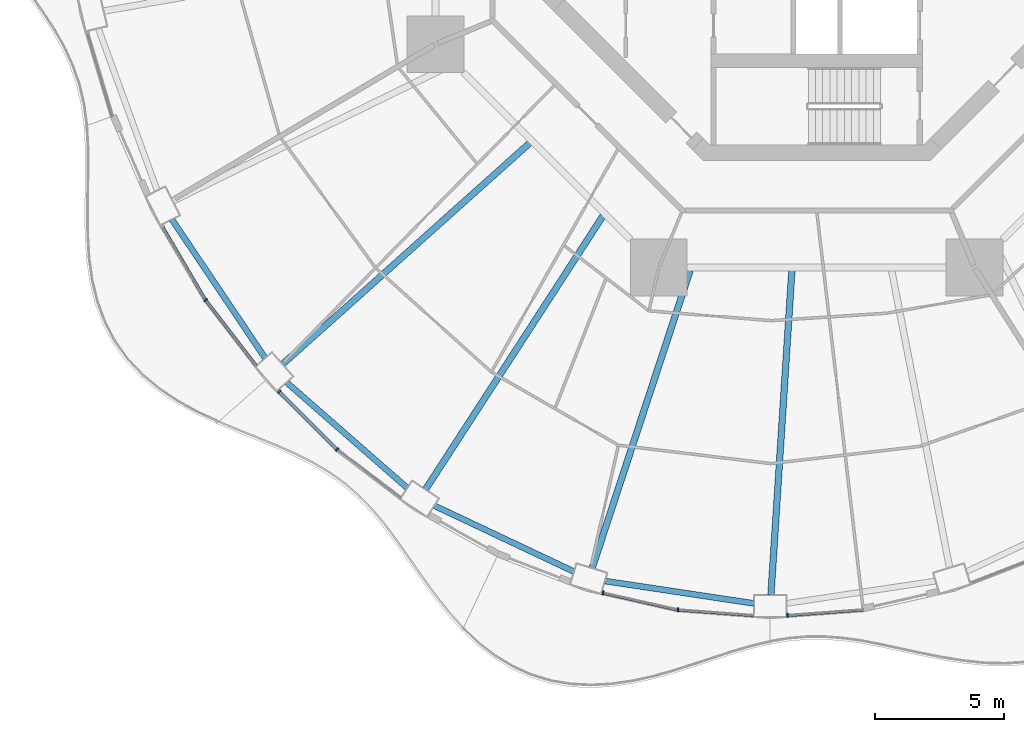
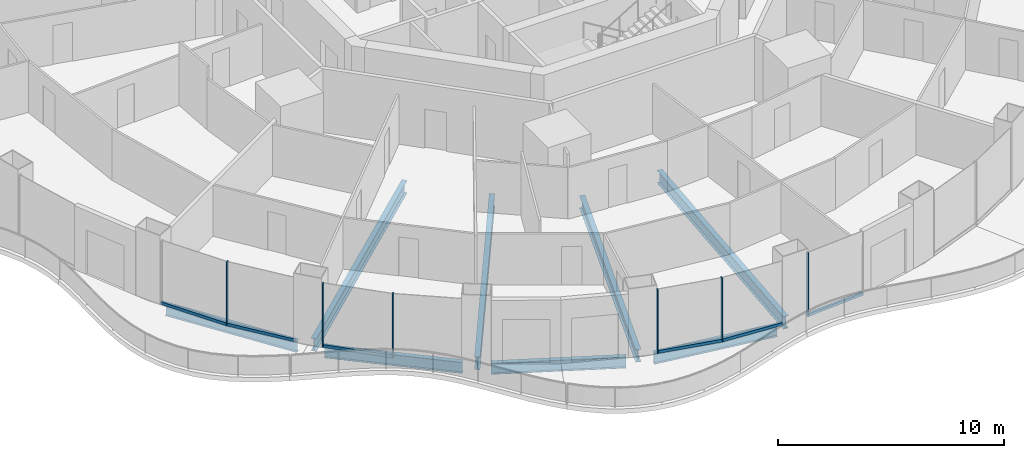
# One storey, part 2 of 22: 12 members, 8 beams, 7 elements without a shape of their own.
"""IFC4 building model written with IfcOpenShell, lengths in metres."""

from ifc_helpers import new_model, si_unit, direction, frame, origin, origin_2d, place, context, subcontext, project, spatial, rectangle, i_section, extrude, material, layer, layer_set, material_profile, profile_set, type_object, element, aggregate, save


model = new_model("IFC4")

# Units and contexts
model_context = context("Model", 3, precision=1e-05, world=origin(), true_north=direction((0.0, 1.0)))
body_context = subcontext(model_context, "Body", "Model", "MODEL_VIEW")
ifc_project = project(units=[si_unit("LENGTHUNIT", "METRE"), si_unit("AREAUNIT", "SQUARE_METRE"), si_unit("VOLUMEUNIT", "CUBIC_METRE"), si_unit("PLANEANGLEUNIT", "RADIAN"), si_unit("MASSUNIT", "GRAM", prefix="KILO")], contexts=[model_context])

# Site, building, storey
site_placement = place(None, origin())
site = spatial("IfcSite", under=ifc_project, at=site_placement, CompositionType="ELEMENT")
building_placement = place(site_placement, origin())
building = spatial("IfcBuilding", under=site, at=building_placement, Name="Nagisa Residences", CompositionType="ELEMENT")
storey_placement = place(building_placement, frame((0.0, 0.0, 91.800048828125)))
storey = spatial("IfcBuildingStorey", under=building, at=storey_placement, Name="L22", CompositionType="ELEMENT", Elevation=91.800048828125)

# Curtain wall, member
ifc_material_1 = material(Name="Concrete-coloured aluminium curtain wall system", Category="concrete")
ifc_layer = layer(ifc_material_1, 0.159912109375)
ifc_layer_set = layer_set([ifc_layer], Name="CW1 CURTAIN WALL")
curtain_wall_type = type_object("IfcCurtainWallType", Name="CW1 CURTAIN WALL", PredefinedType="NOTDEFINED", material=ifc_layer_set)
curtain_wall_1_placement = place(storey_placement, origin())
curtain_wall_1 = element("IfcCurtainWall", 1, at=curtain_wall_1_placement, inside=storey, type_object=curtain_wall_type, Name="cw:CW1:L22:29", PredefinedType="NOTDEFINED")
ifc_material_2 = material(Name="Concrete-coloured aluminium", Category="concrete")
ifc_material_profile_1 = material_profile(ifc_material_2, rectangle(XDim=0.159912109375, YDim=0.06005859375, at=origin_2d()), Name="CW1 MULLION 160x60")
ifc_profile_set_1 = profile_set([ifc_material_profile_1], Name="Concrete-coloured aluminium")
member_type_1 = type_object("IfcMemberType", Name="CW1 MULLION 160x60", PredefinedType="MULLION", material=ifc_profile_set_1)
member_1_placement = place(storey_placement, frame((-23.690185546875, -16.042236328125, 0.0), z_axis=(0.0, 0.0, 1.0), x_axis=(0.792070340816, 0.610429828235, 0.0)))
member_1 = element("IfcMember", 2, at=member_1_placement, type_object=member_type_1, Name="CW1 mullion", PredefinedType="MULLION", context=body_context, shape_type="SweptSolid", body=[
    extrude(rectangle(XDim=0.159912109375, YDim=0.06005859375, at=origin_2d()), origin(), (0.0, 0.0, 1.0), 3.43994140625),
])

curtain_wall_2_placement = place(storey_placement, origin())
curtain_wall_2 = element("IfcCurtainWall", 3, at=curtain_wall_2_placement, inside=storey, type_object=curtain_wall_type, Name="cw:CW1:L22:30", PredefinedType="NOTDEFINED")
member_2_placement = place(storey_placement, frame((-20.845458984375, -19.590576171875, 0.0), z_axis=(0.0, 0.0, 1.0), x_axis=(0.706376885714, 0.707835924016, 0.0)))
member_2 = element("IfcMember", 4, at=member_2_placement, type_object=member_type_1, Name="CW1 mullion", PredefinedType="MULLION", context=body_context, shape_type="SweptSolid", body=[
    extrude(rectangle(XDim=0.159912109375, YDim=0.06005859375, at=origin_2d()), origin(), (0.0, 0.0, 1.0), 3.43994140625),
])

curtain_wall_3_placement = place(storey_placement, origin())
curtain_wall_3 = element("IfcCurtainWall", 5, at=curtain_wall_3_placement, inside=storey, type_object=curtain_wall_type, Name="cw:CW1:L22:31", PredefinedType="NOTDEFINED")
member_3_placement = place(storey_placement, frame((-18.58740234375, -21.83935546875, 0.0), z_axis=(0.0, 0.0, 1.0), x_axis=(0.605255421737, 0.79603132756, 0.0)))
member_3 = element("IfcMember", 6, at=member_3_placement, type_object=member_type_1, Name="CW1 mullion", PredefinedType="MULLION", context=body_context, shape_type="SweptSolid", body=[
    extrude(rectangle(XDim=0.159912109375, YDim=0.06005859375, at=origin_2d()), origin(), (0.0, 0.0, 1.0), 3.43994140625),
])
aggregate(curtain_wall_3, [member_3])

curtain_wall_4_placement = place(storey_placement, origin())
curtain_wall_4 = element("IfcCurtainWall", 7, at=curtain_wall_4_placement, inside=storey, type_object=curtain_wall_type, Name="cw:CW1:L22:34", PredefinedType="NOTDEFINED")
member_4_placement = place(storey_placement, frame((-8.287109375, -27.3955078125, 0.0), z_axis=(0.0, 0.0, 1.0), x_axis=(0.2207639201, 0.975327274089, 0.0)))
member_4 = element("IfcMember", 8, at=member_4_placement, type_object=member_type_1, Name="CW1 mullion", PredefinedType="MULLION", context=body_context, shape_type="SweptSolid", body=[
    extrude(rectangle(XDim=0.159912109375, YDim=0.06005859375, at=origin_2d()), origin(), (0.0, 0.0, 1.0), 3.43994140625),
])

curtain_wall_5_placement = place(storey_placement, origin())
curtain_wall_5 = element("IfcCurtainWall", 9, at=curtain_wall_5_placement, inside=storey, type_object=curtain_wall_type, Name="cw:CW1:L22:35", PredefinedType="NOTDEFINED")
member_5_placement = place(storey_placement, frame((-5.379150390625, -28.050048828125, 0.0), z_axis=(0.0, 0.0, 1.0), x_axis=(0.074377355493, 0.997230168512, 0.0)))
member_5 = element("IfcMember", 10, at=member_5_placement, type_object=member_type_1, Name="CW1 mullion", PredefinedType="MULLION", context=body_context, shape_type="SweptSolid", body=[
    extrude(rectangle(XDim=0.159912109375, YDim=0.06005859375, at=origin_2d()), origin(), (0.0, 0.0, 1.0), 3.43994140625),
])

curtain_wall_6_placement = place(storey_placement, origin())
curtain_wall_6 = element("IfcCurtainWall", 11, at=curtain_wall_6_placement, inside=storey, type_object=curtain_wall_type, Name="cw:CW1:L22:36", PredefinedType="NOTDEFINED")
member_6_placement = place(storey_placement, frame((-1.1279296875, -28.266845703125, 0.0), z_axis=(0.0, 0.0, 1.0), x_axis=(-0.074377355493, 0.997230168512, 0.0)))
member_6 = element("IfcMember", 12, at=member_6_placement, type_object=member_type_1, Name="CW1 mullion", PredefinedType="MULLION", context=body_context, shape_type="SweptSolid", body=[
    extrude(rectangle(XDim=0.159912109375, YDim=0.06005859375, at=origin_2d()), origin(), (0.0, 0.0, 1.0), 3.43994140625),
])

curtain_wall_7_placement = place(storey_placement, origin())
curtain_wall_7 = element("IfcCurtainWall", 13, at=curtain_wall_7_placement, inside=storey, type_object=curtain_wall_type, Name="cw:CW1:L22:28", PredefinedType="NOTDEFINED")
ifc_material_3 = material(Name="Concrete-coloured aluminium", Category="concrete")
ifc_material_profile_2 = material_profile(ifc_material_3, rectangle(XDim=0.1201171875, YDim=0.14990234375, at=origin_2d()), Name="CW1 TRANSOM 120x150")
ifc_profile_set_2 = profile_set([ifc_material_profile_2], Name="Concrete-coloured aluminium")
member_type_2 = type_object("IfcMemberType", Name="CW1 TRANSOM 120x150", PredefinedType="USERDEFINED", material=ifc_profile_set_2)
member_7_placement = place(storey_placement, frame((-25.386474609375, -13.159912109375, 0.074951171875), z_axis=(0.506384588027, -0.862307746114, 0.0), x_axis=(0.862307746114, 0.506384588027, 0.0)))
member_7 = element("IfcMember", 14, at=member_7_placement, type_object=member_type_2, Name="CW1 transom", ObjectType="TRANSOM", PredefinedType="USERDEFINED", context=body_context, shape_type="SweptSolid", body=[
    extrude(rectangle(XDim=0.1201171875, YDim=0.14990234375, at=origin_2d()), origin(), (0.0, 0.0, 1.0), 3.32470703125),
])
aggregate(curtain_wall_7, [member_7])

# Member
member_8_placement = place(storey_placement, frame((-23.70849609375, -16.0185546875, 0.074951171875), z_axis=(0.61041202934, -0.792084057684, 0.0), x_axis=(0.792084057684, 0.61041202934, 0.0)))
member_8 = element("IfcMember", 15, at=member_8_placement, type_object=member_type_2, Name="CW1 transom", ObjectType="TRANSOM", PredefinedType="USERDEFINED", context=body_context, shape_type="SweptSolid", body=[
    extrude(rectangle(XDim=0.1201171875, YDim=0.14990234375, at=origin_2d()), origin(), (0.0, 0.0, 1.0), 3.262939453125),
])

aggregate(curtain_wall_1, [member_1, member_8])

member_9_placement = place(storey_placement, frame((-20.86669921875, -19.5693359375, 0.074951171875), z_axis=(0.707869817944, -0.706342920149, 0.0), x_axis=(0.706342920149, 0.707869817944, 0.0)))
member_9 = element("IfcMember", 16, at=member_9_placement, type_object=member_type_2, Name="CW1 transom", ObjectType="TRANSOM", PredefinedType="USERDEFINED", context=body_context, shape_type="SweptSolid", body=[
    extrude(rectangle(XDim=0.1201171875, YDim=0.14990234375, at=origin_2d()), origin(), (0.0, 0.0, 1.0), 3.19775390625),
])

aggregate(curtain_wall_2, [member_2, member_9])

member_10_placement = place(storey_placement, frame((-8.31640625, -27.388916015625, 0.074951171875), z_axis=(0.975335171471, -0.220729026846, 0.0), x_axis=(0.220729026846, 0.975335171471, 0.0)))
member_10 = element("IfcMember", 17, at=member_10_placement, type_object=member_type_2, Name="CW1 transom", ObjectType="TRANSOM", PredefinedType="USERDEFINED", context=body_context, shape_type="SweptSolid", body=[
    extrude(rectangle(XDim=0.1201171875, YDim=0.14990234375, at=origin_2d()), origin(), (0.0, 0.0, 1.0), 2.992919921875),
])

aggregate(curtain_wall_4, [member_4, member_10])

member_11_placement = place(storey_placement, frame((-5.408935546875, -28.0478515625, 0.074951171875), z_axis=(0.997226174467, -0.074430887117, 0.0), x_axis=(0.074430887117, 0.997226174467, 0.0)))
member_11 = element("IfcMember", 18, at=member_11_placement, type_object=member_type_2, Name="CW1 transom", ObjectType="TRANSOM", PredefinedType="USERDEFINED", context=body_context, shape_type="SweptSolid", body=[
    extrude(rectangle(XDim=0.1201171875, YDim=0.14990234375, at=origin_2d()), origin(), (0.0, 0.0, 1.0), 2.97509765625),
])

aggregate(curtain_wall_5, [member_5, member_11])

member_12_placement = place(storey_placement, frame((-1.15771484375, -28.269287109375, 0.074951171875), z_axis=(0.997226174467, 0.074430887117, 0.0), x_axis=(-0.074430887117, 0.997226174467, 0.0)))
member_12 = element("IfcMember", 19, at=member_12_placement, type_object=member_type_2, Name="CW1 transom", ObjectType="TRANSOM", PredefinedType="USERDEFINED", context=body_context, shape_type="SweptSolid", body=[
    extrude(rectangle(XDim=0.1201171875, YDim=0.14990234375, at=origin_2d()), origin(), (0.0, 0.0, 1.0), 2.97509765625),
])

aggregate(curtain_wall_6, [member_6, member_12])

# Beams
ifc_material_4 = material(Name="Steel ASTM A572 Gr 50", Category="steel")
ifc_material_profile_3 = material_profile(ifc_material_4, i_section(OverallWidth=0.22802734375, OverallDepth=0.60302734375, WebThickness=0.010498046875, FlangeThickness=0.014892578125, at=origin_2d()), Name="W610x101")
ifc_profile_set_3 = profile_set([ifc_material_profile_3], Name="Steel ASTM A572 Gr 50")
beam_type_1 = type_object("IfcBeamType", Name="Perimeter ring beam W610x101", PredefinedType="BEAM", material=ifc_profile_set_3)
beam_1_placement = place(storey_placement, frame((-24.9970703125, -12.91650390625, -0.5615234375), z_axis=(0.558203607151, -0.829704003222, 0.0), x_axis=(0.829704003222, 0.558203607151, 0.0)))
element("IfcBeam", 20, at=beam_1_placement, inside=storey, type_object=beam_type_1, Name="beam:L22:pb15", PredefinedType="BEAM", context=body_context, shape_type="SweptSolid", body=[
    extrude(i_section(OverallWidth=0.22802734375, OverallDepth=0.60302734375, WebThickness=0.010498046875, FlangeThickness=0.014892578125, at=origin_2d()), origin(), (0.0, 0.0, 1.0), 6.4716796875),
])
beam_2_placement = place(storey_placement, frame((-20.551513671875, -19.231689453125, -0.5615234375), z_axis=(0.752542612886, -0.658543556488, 0.0), x_axis=(0.658543556488, 0.752542612886, 0.0)))
element("IfcBeam", 21, at=beam_2_placement, inside=storey, type_object=beam_type_1, Name="beam:L22:pb16", PredefinedType="BEAM", context=body_context, shape_type="SweptSolid", body=[
    extrude(i_section(OverallWidth=0.22802734375, OverallDepth=0.60302734375, WebThickness=0.010498046875, FlangeThickness=0.014892578125, at=origin_2d()), origin(), (0.0, 0.0, 1.0), 6.212646484375),
])
beam_3_placement = place(storey_placement, frame((-14.822021484375, -24.013916015625, -0.5615234375), z_axis=(0.90418952838, -0.427131474804, 0.0), x_axis=(0.427131474804, 0.90418952838, 0.0)))
element("IfcBeam", 22, at=beam_3_placement, inside=storey, type_object=beam_type_1, Name="beam:L22:pb17", PredefinedType="BEAM", context=body_context, shape_type="SweptSolid", body=[
    extrude(i_section(OverallWidth=0.22802734375, OverallDepth=0.60302734375, WebThickness=0.010498046875, FlangeThickness=0.014892578125, at=origin_2d()), origin(), (0.0, 0.0, 1.0), 5.98046875),
])
beam_4_placement = place(storey_placement, frame((-8.20849609375, -26.93505859375, -0.5615234375), z_axis=(0.988913048607, -0.148495731568, 0.0), x_axis=(0.148495731568, 0.988913048607, 0.0)))
element("IfcBeam", 23, at=beam_4_placement, inside=storey, type_object=beam_type_1, Name="beam:L22:pb18", PredefinedType="BEAM", context=body_context, shape_type="SweptSolid", body=[
    extrude(i_section(OverallWidth=0.22802734375, OverallDepth=0.60302734375, WebThickness=0.010498046875, FlangeThickness=0.014892578125, at=origin_2d()), origin(), (0.0, 0.0, 1.0), 5.843017578125),
])
ifc_material_5 = material(Name="Steel ASTM A572 Gr 50", Category="steel")
ifc_material_profile_4 = material_profile(ifc_material_5, i_section(OverallWidth=0.2529296875, OverallDepth=0.677978515625, WebThickness=0.01171875, FlangeThickness=0.016357421875, at=origin_2d()), Name="W690x125")
ifc_profile_set_4 = profile_set([ifc_material_profile_4], Name="Steel ASTM A572 Gr 50")
beam_type_2 = type_object("IfcBeamType", Name="Radial beam W690x125", PredefinedType="BEAM", material=ifc_profile_set_4)
beam_5_placement = place(storey_placement, frame((-20.709228515625, -18.526611328125, -0.59912109375), z_axis=(0.745284973843, 0.666746059428, 0.0), x_axis=(-0.666746059428, 0.745284973843, 0.0)))
element("IfcBeam", 24, at=beam_5_placement, inside=storey, type_object=beam_type_2, Name="beam:L22:rb16", PredefinedType="BEAM", context=body_context, shape_type="SweptSolid", body=[
    extrude(i_section(OverallWidth=0.2529296875, OverallDepth=0.677978515625, WebThickness=0.01171875, FlangeThickness=0.016357421875, at=origin_2d()), origin(), (0.0, 0.0, 1.0), 12.869384765625),
])
beam_6_placement = place(storey_placement, frame((-15.16357421875, -23.38134765625, -0.59912109375), z_axis=(0.544121648903, 0.839006335611, 0.0), x_axis=(-0.839006335611, 0.544121648903, 0.0)))
element("IfcBeam", 25, at=beam_6_placement, inside=storey, type_object=beam_type_2, Name="beam:L22:rb17", PredefinedType="BEAM", context=body_context, shape_type="SweptSolid", body=[
    extrude(i_section(OverallWidth=0.2529296875, OverallDepth=0.677978515625, WebThickness=0.01171875, FlangeThickness=0.016357421875, at=origin_2d()), origin(), (0.0, 0.0, 1.0), 12.63818359375),
])
beam_7_placement = place(storey_placement, frame((-8.7041015625, -26.431884765625, -0.59912109375), z_axis=(0.312788454633, 0.94982281645, 0.0), x_axis=(-0.94982281645, 0.312788454633, 0.0)))
element("IfcBeam", 26, at=beam_7_placement, inside=storey, type_object=beam_type_2, Name="beam:L22:rb18", PredefinedType="BEAM", context=body_context, shape_type="SweptSolid", body=[
    extrude(i_section(OverallWidth=0.2529296875, OverallDepth=0.677978515625, WebThickness=0.01171875, FlangeThickness=0.016357421875, at=origin_2d()), origin(), (0.0, 0.0, 1.0), 12.145751953125),
])
beam_8_placement = place(storey_placement, frame((-1.772216796875, -27.46728515625, -0.59912109375), z_axis=(0.064392860553, 0.997924626167, 0.0), x_axis=(-0.997924626167, 0.064392860553, 0.0)))
element("IfcBeam", 27, at=beam_8_placement, inside=storey, type_object=beam_type_2, Name="beam:L22:rb19", PredefinedType="BEAM", context=body_context, shape_type="SweptSolid", body=[
    extrude(i_section(OverallWidth=0.2529296875, OverallDepth=0.677978515625, WebThickness=0.01171875, FlangeThickness=0.016357421875, at=origin_2d()), origin(), (0.0, 0.0, 1.0), 12.598876953125),
])

save(model, "model.ifc")
